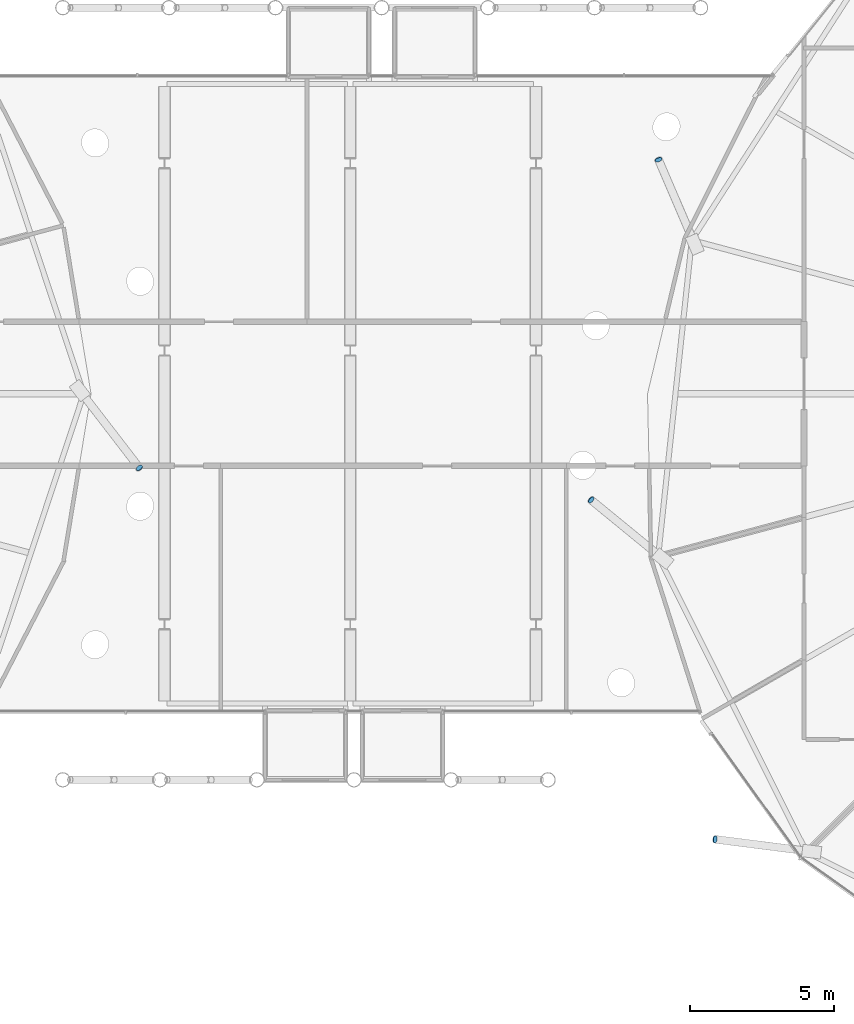
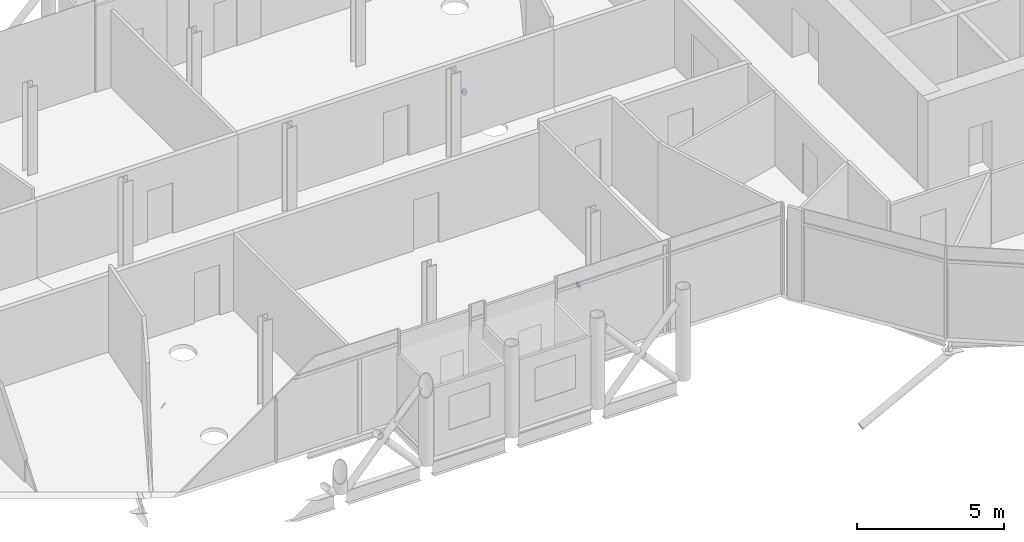
# One storey, part 31 of 39: 4 discrete accessories.
"""IFC4 building model written with IfcOpenShell, lengths in metres."""

import ifcopenshell
import ifcopenshell.guid

model = None  # the IFC model being written
_history = None  # IfcOwnerHistory: only IFC2X3 demands one
_inside = {}  # id of a spatial element -> (the spatial element, [elements in it])
_under = {}  # id of a project, library or spatial element -> (it, [spatial elements below it])
_declared = {}  # id of a project -> (the project, [libraries it declares])
_typed = {}  # id of a type object -> (the type object, [elements of that type])
_made_of = {}  # id of a material, layer set ... -> (it, [elements and type objects made of it])


def new_model(schema):
    """Start an empty IFC model of exactly this schema.

    Asked for "IFC4X3", IfcOpenShell would pick the latest addendum, in which some entities
    have other attributes; the version numbers below select the first issue.
    IFC2X3 requires an IfcOwnerHistory on every rooted entity: one is made here for all.
    """
    global model, _history
    if schema == "IFC4X3":
        model = ifcopenshell.file(schema_version=(4, 3, 0, 0))
    else:
        model = ifcopenshell.file(schema=schema)
    _inside.clear()
    _under.clear()
    _declared.clear()
    _typed.clear()
    _made_of.clear()
    _history = None
    if model.schema == "IFC2X3":
        org = make("IfcOrganization", Name="unknown")
        user = make(
            "IfcPersonAndOrganization",
            ThePerson=make("IfcPerson", FamilyName="unknown"),
            TheOrganization=org,
        )
        app = make(
            "IfcApplication",
            ApplicationDeveloper=org,
            Version="unknown",
            ApplicationFullName="unknown",
            ApplicationIdentifier="unknown",
        )
        _history = make(
            "IfcOwnerHistory",
            OwningUser=user,
            OwningApplication=app,
            ChangeAction="ADDED",
            CreationDate=0,
        )
    return model


def make(cls, **values):
    """One entity of the class cls with the attributes given. An attribute that is None is left unset."""
    return model.create_entity(
        cls, **{name: value for name, value in values.items() if value is not None}
    )


def rooted(cls, **values):
    """An entity with a GlobalId (a new one), such as an element, a storey or a relation."""
    return make(cls, GlobalId=ifcopenshell.guid.new(), OwnerHistory=_history, **values)


def si_unit(unit_type, name, prefix=None):
    """IfcSIUnit, for example si_unit("LENGTHUNIT", "METRE", prefix="MILLI")."""
    return make("IfcSIUnit", UnitType=unit_type, Prefix=prefix, Name=name)


def assignment(units):
    """IfcUnitAssignment: the units of a project."""
    return None if units is None else make("IfcUnitAssignment", Units=units)


def point(xyz):
    """IfcCartesianPoint."""
    return None if xyz is None else make("IfcCartesianPoint", Coordinates=xyz)


def direction(xyz):
    """IfcDirection."""
    return None if xyz is None else make("IfcDirection", DirectionRatios=xyz)


def frame(location, z_axis=None, x_axis=None):
    """IfcAxis2Placement3D, a coordinate frame: its origin and axes. An axis left out is left unset."""
    return make(
        "IfcAxis2Placement3D",
        Location=point(location),
        Axis=direction(z_axis),
        RefDirection=direction(x_axis),
    )


def frame_2d(location, x_axis=None):
    """IfcAxis2Placement2D, a coordinate frame in the plane: its origin and x axis."""
    return make(
        "IfcAxis2Placement2D", Location=point(location), RefDirection=direction(x_axis)
    )


def origin():
    """The frame at (0, 0, 0) with its axes left unset."""
    return frame((0.0, 0.0, 0.0))


def origin_2d():
    """The frame at (0, 0) in the plane with its x axis left unset."""
    return frame_2d((0.0, 0.0))


def place(relative_to, where):
    """IfcLocalPlacement: puts the frame where relative to a parent placement (None: the world)."""
    return make(
        "IfcLocalPlacement", PlacementRelTo=relative_to, RelativePlacement=where
    )


def context(
    kind, dimensions, precision=None, world=None, true_north=None, identifier=None
):
    """IfcGeometricRepresentationContext, for example the 3D "Model" context."""
    return make(
        "IfcGeometricRepresentationContext",
        ContextIdentifier=identifier,
        ContextType=kind,
        CoordinateSpaceDimension=dimensions,
        Precision=precision,
        WorldCoordinateSystem=world,
        TrueNorth=true_north,
    )


def subcontext(parent, identifier, kind, view, scale=None):
    """IfcGeometricRepresentationSubContext, for example "Body" below "Model"."""
    return make(
        "IfcGeometricRepresentationSubContext",
        ContextIdentifier=identifier,
        ContextType=kind,
        ParentContext=parent,
        TargetScale=scale,
        TargetView=view,
    )


def project(units=None, contexts=None):
    """IfcProject with its units and contexts."""
    return rooted(
        "IfcProject",
        Name="project",
        RepresentationContexts=contexts,
        UnitsInContext=assignment(units),
    )


def spatial(cls, under=None, at=None, **own):
    """A site, building, storey or space (cls), placed at a placement, below another one or the project."""
    s = rooted(cls, ObjectPlacement=at, **own)
    if under is not None:
        _under.setdefault(under.id(), (under, []))[1].append(s)
    return s


def profile(cls, at=None, kind="AREA", **sizes):
    """A parametric profile (cls). Its sizes go by their IFC names, for example OverallWidth=200.0."""
    return make(cls, ProfileType=kind, Position=at, **sizes)


def circle(**sizes):
    """IfcCircleProfileDef."""
    return profile("IfcCircleProfileDef", **sizes)


def extrude(swept, where, along, depth):
    """IfcExtrudedAreaSolid: the profile swept, set in the frame where, extruded along a direction by depth."""
    return make(
        "IfcExtrudedAreaSolid",
        SweptArea=swept,
        Position=where,
        ExtrudedDirection=direction(along),
        Depth=depth,
    )


def shape(context_of_items, identifier, shape_type, items):
    """IfcShapeRepresentation: the items that make up one representation, for example the "Body"."""
    return make(
        "IfcShapeRepresentation",
        ContextOfItems=context_of_items,
        RepresentationIdentifier=identifier,
        RepresentationType=shape_type,
        Items=items,
    )


def material(Name=None, Category=None):
    """IfcMaterial."""
    return make("IfcMaterial", Name=Name, Category=Category)


def material_profile(
    of_material, cross_section, Name=None, Category=None, Priority=None
):
    """IfcMaterialProfile: a cross section and its material."""
    return make(
        "IfcMaterialProfile",
        Name=Name,
        Material=of_material,
        Profile=cross_section,
        Priority=Priority,
        Category=Category,
    )


def profile_set(profiles, Name=None, composite=None):
    """IfcMaterialProfileSet."""
    return make(
        "IfcMaterialProfileSet",
        Name=Name,
        MaterialProfiles=profiles,
        CompositeProfile=composite,
    )


def made_of(thing, what):
    """Note that an element or type object is made of a material, layer set ...; save() writes the relation."""
    if what is not None:
        _made_of.setdefault(what.id(), (what, []))[1].append(thing)
    return thing


def type_object(cls, material=None, **own):
    """A type object (cls), such as IfcWallType, which elements share."""
    return made_of(rooted(cls, **own), material)


def element(
    cls,
    number,
    at=None,
    inside=None,
    cuts=None,
    type_object=None,
    material=None,
    context=None,
    identifier="Body",
    shape_type=None,
    held_by="IfcProductDefinitionShape",
    body=None,
    shapes=None,
    **own,
):
    """One element of the class cls, such as IfcWall. Its Tag is "e" and its number.

    at: its placement. inside: the storey or other place that contains it. cuts: it is an
    opening in that element (IfcRelVoidsElement). A single representation is given by context,
    identifier, shape_type and body (its items); several are given by shapes. held_by: the class
    of the entity that holds the representations. save() writes the other relations.
    """
    e = rooted(cls, Tag="e%d" % number, ObjectPlacement=at, **own)
    if body is not None:
        shapes = [shape(context, identifier, shape_type, body)]
    if shapes is not None:
        e.Representation = make(held_by, Representations=shapes)
    if inside is not None:
        _inside.setdefault(inside.id(), (inside, []))[1].append(e)
    if cuts is not None:
        rooted(
            "IfcRelVoidsElement", RelatingBuildingElement=cuts, RelatedOpeningElement=e
        )
    if type_object is not None:
        _typed.setdefault(type_object.id(), (type_object, []))[1].append(e)
    return made_of(e, material)


def aggregate(whole, parts):
    """IfcRelAggregates: a whole, such as a stair, and the parts it consists of."""
    return rooted("IfcRelAggregates", RelatingObject=whole, RelatedObjects=parts)


def save(model, path):
    """Write the relations noted so far, then the file.

    IfcRelAggregates (storeys below a building ...), IfcRelContainedInSpatialStructure (elements
    in a storey), IfcRelDefinesByType, IfcRelAssociatesMaterial and IfcRelDeclares: one each for
    every whole, place, type object, material and project.
    """
    for whole, parts in _under.values():
        aggregate(whole, parts)
    for where, things in _inside.values():
        rooted(
            "IfcRelContainedInSpatialStructure",
            RelatedElements=things,
            RelatingStructure=where,
        )
    for kind, things in _typed.values():
        rooted("IfcRelDefinesByType", RelatedObjects=things, RelatingType=kind)
    for what, things in _made_of.values():
        rooted("IfcRelAssociatesMaterial", RelatedObjects=things, RelatingMaterial=what)
    for by, libraries in _declared.values():
        rooted("IfcRelDeclares", RelatingContext=by, RelatedDefinitions=libraries)
    model.write(path)


model = new_model("IFC4")

# Units and contexts
model_context = context("Model", 3, precision=1e-05, world=origin(), true_north=direction((0.0, 1.0)))
body_context = subcontext(model_context, "Body", "Model", "MODEL_VIEW")
ifc_project = project(units=[si_unit("LENGTHUNIT", "METRE"), si_unit("AREAUNIT", "SQUARE_METRE"), si_unit("VOLUMEUNIT", "CUBIC_METRE"), si_unit("PLANEANGLEUNIT", "RADIAN"), si_unit("MASSUNIT", "GRAM", prefix="KILO")], contexts=[model_context])

# Site, building, storey
site_placement = place(None, origin())
site = spatial("IfcSite", under=ifc_project, at=site_placement, CompositionType="ELEMENT")
building_placement = place(site_placement, origin())
building = spatial("IfcBuilding", under=site, at=building_placement, Name="Rimbun Link Towers", CompositionType="ELEMENT")
storey_placement = place(building_placement, frame((0.0, 0.0, 139.199951171875)))
storey = spatial("IfcBuildingStorey", under=building, at=storey_placement, Name="L33", CompositionType="ELEMENT", Elevation=139.199951171875)

# Discrete accessories
ifc_material = material(Name="Steel S355J2H", Category="steel")
ifc_material_profile = material_profile(ifc_material, circle(Radius=0.1240234375, at=origin_2d()), Name="PL D248")
ifc_profile_set = profile_set([ifc_material_profile], Name="Steel S355J2H")
discrete_accessory_type = type_object("IfcDiscreteAccessoryType", Name="Link foot sealing plate D248X20", PredefinedType="BRACKET", material=ifc_profile_set)
discrete_accessory_1_placement = place(storey_placement, frame((-7.3232421875, -2.568359375, -2.99365234375), z_axis=(0.517062610869, -0.652483770858, -0.553995654502), x_axis=(0.783745876513, 0.621081637991, 0.0)))
element("IfcDiscreteAccessory", 1, at=discrete_accessory_1_placement, inside=storey, type_object=discrete_accessory_type, Name="Link foot sealing plate T1 L33 00", PredefinedType="BRACKET", context=body_context, shape_type="SweptSolid", body=[
    extrude(circle(Radius=0.1240234375, at=origin_2d()), origin(), (0.0, 0.0, 1.0), 0.019775390625),
])
discrete_accessory_2_placement = place(storey_placement, frame((10.702392578125, 8.11865234375, -2.753662109375), z_axis=(-0.329292779969, 0.768349819928, -0.548821299948), x_axis=(-0.919145030018, -0.393919298579, 0.0)))
element("IfcDiscreteAccessory", 2, at=discrete_accessory_2_placement, inside=storey, type_object=discrete_accessory_type, Name="Link foot sealing plate T2 L33 08", PredefinedType="BRACKET", context=body_context, shape_type="SweptSolid", body=[
    extrude(circle(Radius=0.1240234375, at=origin_2d()), origin(), (0.0, 0.0, 1.0), 0.02001953125),
])
discrete_accessory_3_placement = place(storey_placement, frame((8.3642578125, -3.689208984375, -2.80029296875), z_axis=(-0.652681643121, 0.529534163287, -0.54184891127), x_axis=(-0.630040856868, -0.776561986372, 0.0)))
element("IfcDiscreteAccessory", 3, at=discrete_accessory_3_placement, inside=storey, type_object=discrete_accessory_type, Name="Link foot sealing plate T2 L33 10", PredefinedType="BRACKET", context=body_context, shape_type="SweptSolid", body=[
    extrude(circle(Radius=0.1240234375, at=origin_2d()), origin(), (0.0, 0.0, 1.0), 0.019775390625),
])
discrete_accessory_4_placement = place(storey_placement, frame((12.669677734375, -15.465087890625, -3.030517578125), z_axis=(-0.829947438925, 0.097640875168, -0.549229922818), x_axis=(-0.116841247567, -0.993150604323, 0.0)))
element("IfcDiscreteAccessory", 4, at=discrete_accessory_4_placement, inside=storey, type_object=discrete_accessory_type, Name="Link foot sealing plate T2 L33 12", PredefinedType="BRACKET", context=body_context, shape_type="SweptSolid", body=[
    extrude(circle(Radius=0.1240234375, at=origin_2d()), origin(), (0.0, 0.0, 1.0), 0.02001953125),
])

save(model, "model.ifc")
